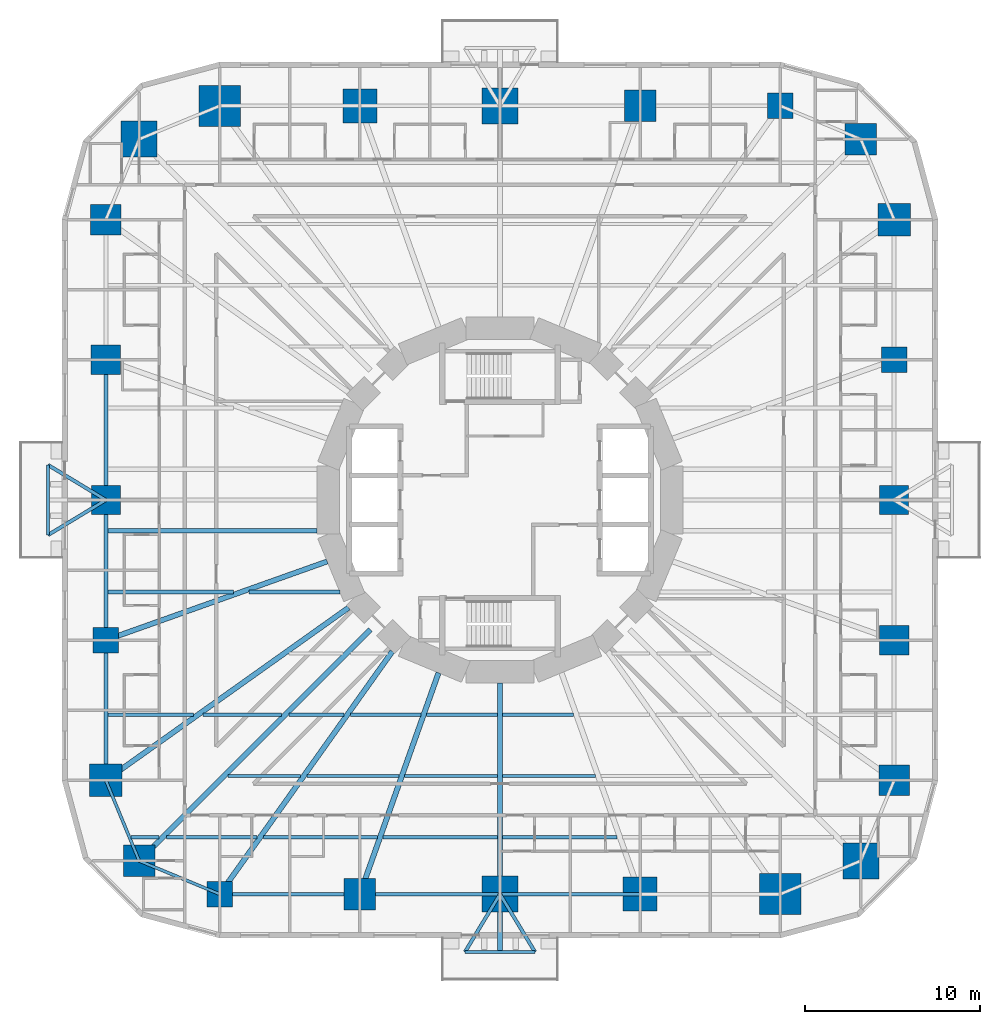
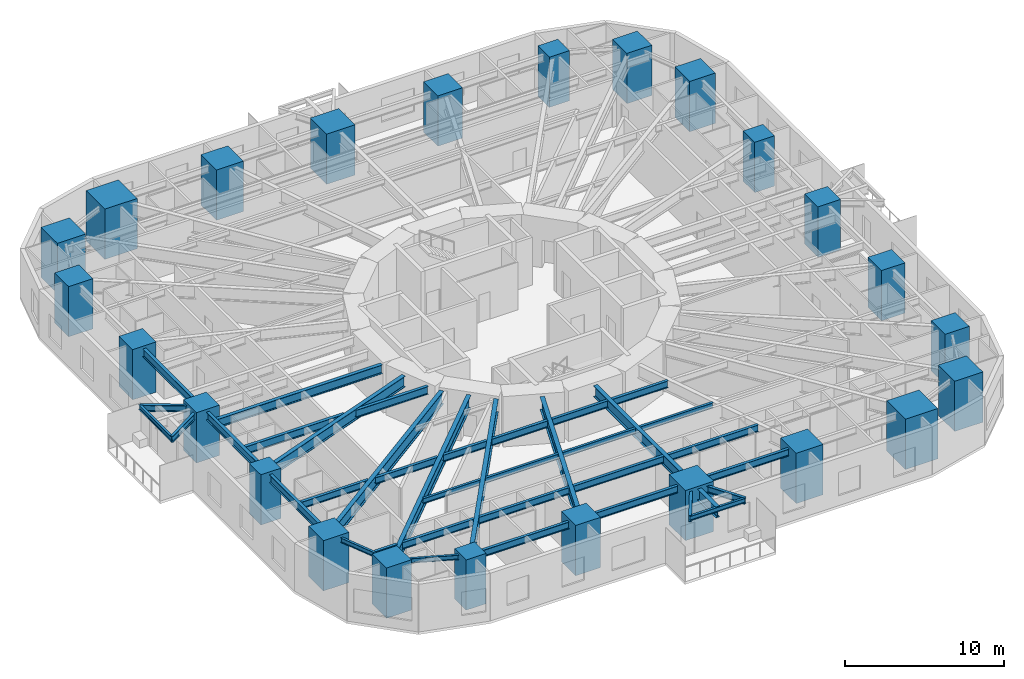
# One storey, part 1 of 14: 38 beams, 24 columns.
"""IFC4 building model written with IfcOpenShell, lengths in metres."""

from ifc_helpers import new_model, si_unit, direction, frame, origin, origin_2d, place, context, subcontext, project, spatial, rectangle, i_section, extrude, material, material_profile, profile_set, type_object, element, save


model = new_model("IFC4")

# Units and contexts
model_context = context("Model", 3, precision=1e-05, world=origin(), true_north=direction((0.0, 1.0)))
body_context = subcontext(model_context, "Body", "Model", "MODEL_VIEW")
ifc_project = project(units=[si_unit("LENGTHUNIT", "METRE"), si_unit("AREAUNIT", "SQUARE_METRE"), si_unit("VOLUMEUNIT", "CUBIC_METRE"), si_unit("PLANEANGLEUNIT", "RADIAN"), si_unit("MASSUNIT", "GRAM", prefix="KILO")], contexts=[model_context])

# Site, building, storey
site_placement = place(None, origin())
site = spatial("IfcSite", under=ifc_project, at=site_placement, CompositionType="ELEMENT")
building_placement = place(site_placement, origin())
building = spatial("IfcBuilding", under=site, at=building_placement, Name="Nakasero Lantern House", CompositionType="ELEMENT")
storey_placement = place(building_placement, frame((0.0, 0.0, 35.25)))
storey = spatial("IfcBuildingStorey", under=building, at=storey_placement, Name="L08", CompositionType="ELEMENT", Elevation=35.25)

# Columns
ifc_material_1 = material(Name="Concrete C50/60", Category="concrete")
ifc_material_profile_1 = material_profile(ifc_material_1, rectangle(XDim=1.800048828125, YDim=1.800048828125, at=origin_2d()), Name="RC 1800x1800")
ifc_profile_set_1 = profile_set([ifc_material_profile_1], Name="Concrete C50/60")
column_type_1 = type_object("IfcColumnType", Name="Mega column RC 1800x1800 C50/60", PredefinedType="COLUMN", material=ifc_profile_set_1)
for number, where, z_axis, x_axis, name in (
    (1, (20.59619140625, 20.59619140625, 0.0), (0.0, 0.0, 1.0), (1.0, 0.0, 0.0), "Column B1-C06 L08"),
    (2, (-20.59619140625, -20.59619140625, 0.0), (0.0, 0.0, 1.0), (1.0, 0.0, 0.0), "Column B1-C18 L08"),
):
    element("IfcColumn", number, at=place(storey_placement, frame(where, z_axis=z_axis, x_axis=x_axis)), inside=storey, type_object=column_type_1, Name=name, PredefinedType="COLUMN", context=body_context, shape_type="SweptSolid", body=[
        extrude(rectangle(XDim=1.800048828125, YDim=1.800048828125, at=origin_2d()), origin(), (0.0, 0.0, 1.0), 3.85009765625),
    ])
ifc_material_2 = material(Name="Concrete C50/60", Category="concrete")
ifc_material_profile_2 = material_profile(ifc_material_2, rectangle(XDim=2.050048828125, YDim=2.050048828125, at=origin_2d()), Name="RC 2050x2050")
ifc_profile_set_2 = profile_set([ifc_material_profile_2], Name="Concrete C50/60")
column_type_2 = type_object("IfcColumnType", Name="Mega column RC 2050x2050 C50/60", PredefinedType="COLUMN", material=ifc_profile_set_2)
for number, where, z_axis, x_axis, name in (
    (3, (-20.59619140625, 20.59619140625, 0.0), (0.0, 0.0, 1.0), (1.0, 0.0, 0.0), "Column B1-C12 L08"),
    (4, (20.59619140625, -20.59619140625, 0.0), (0.0, 0.0, 1.0), (1.0, 0.0, 0.0), "Column B1-C24 L08"),
):
    element("IfcColumn", number, at=place(storey_placement, frame(where, z_axis=z_axis, x_axis=x_axis)), inside=storey, type_object=column_type_2, Name=name, PredefinedType="COLUMN", context=body_context, shape_type="SweptSolid", body=[
        extrude(rectangle(XDim=2.050048828125, YDim=2.050048828125, at=origin_2d()), origin(), (0.0, 0.0, 1.0), 3.85009765625),
    ])
ifc_material_3 = material(Name="Concrete C50/60", Category="concrete")
ifc_material_profile_3 = material_profile(ifc_material_3, rectangle(XDim=1.449951171875, YDim=1.449951171875, at=origin_2d()), Name="RC 1450x1450")
ifc_profile_set_3 = profile_set([ifc_material_profile_3], Name="Concrete C50/60")
column_type_3 = type_object("IfcColumnType", Name="Ring column RC 1450x1450 C50/60", PredefinedType="COLUMN", material=ifc_profile_set_3)
for number, where, z_axis, x_axis, name in (
    (5, (22.5, 8.0, 0.0), (0.0, 0.0, 1.0), (1.0, 0.0, 0.0), "Column B1-C04 L08"),
    (6, (16.0, 22.5, 0.0), (0.0, 0.0, 1.0), (1.0, 0.0, 0.0), "Column B1-C07 L08"),
    (7, (-22.5, -8.0, 0.0), (0.0, 0.0, 1.0), (1.0, 0.0, 0.0), "Column B1-C16 L08"),
    (8, (-16.0, -22.5, 0.0), (0.0, 0.0, 1.0), (1.0, 0.0, 0.0), "Column B1-C19 L08"),
):
    element("IfcColumn", number, at=place(storey_placement, frame(where, z_axis=z_axis, x_axis=x_axis)), inside=storey, type_object=column_type_3, Name=name, PredefinedType="COLUMN", context=body_context, shape_type="SweptSolid", body=[
        extrude(rectangle(XDim=1.449951171875, YDim=1.449951171875, at=origin_2d()), origin(), (0.0, 0.0, 1.0), 3.85009765625),
    ])
ifc_material_4 = material(Name="Concrete C50/60", Category="concrete")
ifc_material_profile_4 = material_profile(ifc_material_4, rectangle(XDim=1.64990234375, YDim=1.64990234375, at=origin_2d()), Name="RC 1650x1650")
ifc_profile_set_4 = profile_set([ifc_material_profile_4], Name="Concrete C50/60")
column_type_4 = type_object("IfcColumnType", Name="Ring column RC 1650x1650 C50/60", PredefinedType="COLUMN", material=ifc_profile_set_4)
for number, where, z_axis, x_axis, name in (
    (9, (22.5, 0.0, 0.0), (0.0, 0.0, 1.0), (1.0, 0.0, 0.0), "Column B1-C03 L08"),
    (10, (-22.5, 0.0, 0.0), (0.0, 0.0, 1.0), (1.0, 0.0, 0.0), "Column B1-C15 L08"),
):
    element("IfcColumn", number, at=place(storey_placement, frame(where, z_axis=z_axis, x_axis=x_axis)), inside=storey, type_object=column_type_4, Name=name, PredefinedType="COLUMN", context=body_context, shape_type="SweptSolid", body=[
        extrude(rectangle(XDim=1.64990234375, YDim=1.64990234375, at=origin_2d()), origin(), (0.0, 0.0, 1.0), 3.85009765625),
    ])
ifc_material_5 = material(Name="Concrete C50/60", Category="concrete")
ifc_material_profile_5 = material_profile(ifc_material_5, rectangle(XDim=1.699951171875, YDim=1.699951171875, at=origin_2d()), Name="RC 1700x1700")
ifc_profile_set_5 = profile_set([ifc_material_profile_5], Name="Concrete C50/60")
column_type_5 = type_object("IfcColumnType", Name="Ring column RC 1700x1700 C50/60", PredefinedType="COLUMN", material=ifc_profile_set_5)
for number, where, z_axis, x_axis, name in (
    (11, (22.5, -8.0, 0.0), (0.0, 0.0, 1.0), (1.0, 0.0, 0.0), "Column B1-C02 L08"),
    (12, (-22.5, 8.0, 0.0), (0.0, 0.0, 1.0), (1.0, 0.0, 0.0), "Column B1-C14 L08"),
):
    element("IfcColumn", number, at=place(storey_placement, frame(where, z_axis=z_axis, x_axis=x_axis)), inside=storey, type_object=column_type_5, Name=name, PredefinedType="COLUMN", context=body_context, shape_type="SweptSolid", body=[
        extrude(rectangle(XDim=1.699951171875, YDim=1.699951171875, at=origin_2d()), origin(), (0.0, 0.0, 1.0), 3.85009765625),
    ])
ifc_material_6 = material(Name="Concrete C50/60", Category="concrete")
ifc_material_profile_6 = material_profile(ifc_material_6, rectangle(XDim=1.75, YDim=1.75, at=origin_2d()), Name="RC 1750x1750")
ifc_profile_set_6 = profile_set([ifc_material_profile_6], Name="Concrete C50/60")
column_type_6 = type_object("IfcColumnType", Name="Ring column RC 1750x1750 C50/60", PredefinedType="COLUMN", material=ifc_profile_set_6)
for number, where, z_axis, x_axis, name in (
    (13, (22.5, -16.0, 0.0), (0.0, 0.0, 1.0), (1.0, 0.0, 0.0), "Column B1-C01 L08"),
    (14, (-22.5, 16.0, 0.0), (0.0, 0.0, 1.0), (1.0, 0.0, 0.0), "Column B1-C13 L08"),
):
    element("IfcColumn", number, at=place(storey_placement, frame(where, z_axis=z_axis, x_axis=x_axis)), inside=storey, type_object=column_type_6, Name=name, PredefinedType="COLUMN", context=body_context, shape_type="SweptSolid", body=[
        extrude(rectangle(XDim=1.75, YDim=1.75, at=origin_2d()), origin(), (0.0, 0.0, 1.0), 3.85009765625),
    ])
ifc_material_7 = material(Name="Concrete C50/60", Category="concrete")
ifc_material_profile_7 = material_profile(ifc_material_7, rectangle(XDim=1.800048828125, YDim=1.800048828125, at=origin_2d()), Name="RC 1800x1800")
ifc_profile_set_7 = profile_set([ifc_material_profile_7], Name="Concrete C50/60")
column_type_7 = type_object("IfcColumnType", Name="Ring column RC 1800x1800 C50/60", PredefinedType="COLUMN", material=ifc_profile_set_7)
for number, where, z_axis, x_axis, name in (
    (15, (8.0, 22.5, 0.0), (0.0, 0.0, 1.0), (1.0, 0.0, 0.0), "Column B1-C08 L08"),
    (16, (-8.0, -22.5, 0.0), (0.0, 0.0, 1.0), (1.0, 0.0, 0.0), "Column B1-C20 L08"),
):
    element("IfcColumn", number, at=place(storey_placement, frame(where, z_axis=z_axis, x_axis=x_axis)), inside=storey, type_object=column_type_7, Name=name, PredefinedType="COLUMN", context=body_context, shape_type="SweptSolid", body=[
        extrude(rectangle(XDim=1.800048828125, YDim=1.800048828125, at=origin_2d()), origin(), (0.0, 0.0, 1.0), 3.85009765625),
    ])
ifc_material_8 = material(Name="Concrete C50/60", Category="concrete")
ifc_material_profile_8 = material_profile(ifc_material_8, rectangle(XDim=1.85009765625, YDim=1.85009765625, at=origin_2d()), Name="RC 1850x1850")
ifc_profile_set_8 = profile_set([ifc_material_profile_8], Name="Concrete C50/60")
column_type_8 = type_object("IfcColumnType", Name="Ring column RC 1850x1850 C50/60", PredefinedType="COLUMN", material=ifc_profile_set_8)
for number, where, z_axis, x_axis, name in (
    (17, (22.5, 16.0, 0.0), (0.0, 0.0, 1.0), (1.0, 0.0, 0.0), "Column B1-C05 L08"),
    (18, (-22.5, -16.0, 0.0), (0.0, 0.0, 1.0), (1.0, 0.0, 0.0), "Column B1-C17 L08"),
):
    element("IfcColumn", number, at=place(storey_placement, frame(where, z_axis=z_axis, x_axis=x_axis)), inside=storey, type_object=column_type_8, Name=name, PredefinedType="COLUMN", context=body_context, shape_type="SweptSolid", body=[
        extrude(rectangle(XDim=1.85009765625, YDim=1.85009765625, at=origin_2d()), origin(), (0.0, 0.0, 1.0), 3.85009765625),
    ])
ifc_material_9 = material(Name="Concrete C50/60", Category="concrete")
ifc_material_profile_9 = material_profile(ifc_material_9, rectangle(XDim=1.949951171875, YDim=1.949951171875, at=origin_2d()), Name="RC 1950x1950")
ifc_profile_set_9 = profile_set([ifc_material_profile_9], Name="Concrete C50/60")
column_type_9 = type_object("IfcColumnType", Name="Ring column RC 1950x1950 C50/60", PredefinedType="COLUMN", material=ifc_profile_set_9)
for number, where, z_axis, x_axis, name in (
    (19, (-8.0, 22.5, 0.0), (0.0, 0.0, 1.0), (1.0, 0.0, 0.0), "Column B1-C10 L08"),
    (20, (8.0, -22.5, 0.0), (0.0, 0.0, 1.0), (1.0, 0.0, 0.0), "Column B1-C22 L08"),
):
    element("IfcColumn", number, at=place(storey_placement, frame(where, z_axis=z_axis, x_axis=x_axis)), inside=storey, type_object=column_type_9, Name=name, PredefinedType="COLUMN", context=body_context, shape_type="SweptSolid", body=[
        extrude(rectangle(XDim=1.949951171875, YDim=1.949951171875, at=origin_2d()), origin(), (0.0, 0.0, 1.0), 3.85009765625),
    ])
ifc_material_10 = material(Name="Concrete C50/60", Category="concrete")
ifc_material_profile_10 = material_profile(ifc_material_10, rectangle(XDim=2.050048828125, YDim=2.050048828125, at=origin_2d()), Name="RC 2050x2050")
ifc_profile_set_10 = profile_set([ifc_material_profile_10], Name="Concrete C50/60")
column_type_10 = type_object("IfcColumnType", Name="Ring column RC 2050x2050 C50/60", PredefinedType="COLUMN", material=ifc_profile_set_10)
for number, where, z_axis, x_axis, name in (
    (21, (0.0, 22.5, 0.0), (0.0, 0.0, 1.0), (1.0, 0.0, 0.0), "Column B1-C09 L08"),
    (22, (0.0, -22.5, 0.0), (0.0, 0.0, 1.0), (1.0, 0.0, 0.0), "Column B1-C21 L08"),
):
    element("IfcColumn", number, at=place(storey_placement, frame(where, z_axis=z_axis, x_axis=x_axis)), inside=storey, type_object=column_type_10, Name=name, PredefinedType="COLUMN", context=body_context, shape_type="SweptSolid", body=[
        extrude(rectangle(XDim=2.050048828125, YDim=2.050048828125, at=origin_2d()), origin(), (0.0, 0.0, 1.0), 3.85009765625),
    ])
ifc_material_11 = material(Name="Concrete C50/60", Category="concrete")
ifc_material_profile_11 = material_profile(ifc_material_11, rectangle(XDim=2.35009765625, YDim=2.35009765625, at=origin_2d()), Name="RC 2350x2350")
ifc_profile_set_11 = profile_set([ifc_material_profile_11], Name="Concrete C50/60")
column_type_11 = type_object("IfcColumnType", Name="Ring column RC 2350x2350 C50/60", PredefinedType="COLUMN", material=ifc_profile_set_11)
for number, where, z_axis, x_axis, name in (
    (23, (-16.0, 22.5, 0.0), (0.0, 0.0, 1.0), (1.0, 0.0, 0.0), "Column B1-C11 L08"),
    (24, (16.0, -22.5, 0.0), (0.0, 0.0, 1.0), (1.0, 0.0, 0.0), "Column B1-C23 L08"),
):
    element("IfcColumn", number, at=place(storey_placement, frame(where, z_axis=z_axis, x_axis=x_axis)), inside=storey, type_object=column_type_11, Name=name, PredefinedType="COLUMN", context=body_context, shape_type="SweptSolid", body=[
        extrude(rectangle(XDim=2.35009765625, YDim=2.35009765625, at=origin_2d()), origin(), (0.0, 0.0, 1.0), 3.85009765625),
    ])

# Beams
ifc_material_12 = material(Name="Steel S355", Category="steel")
ifc_material_profile_12 = material_profile(ifc_material_12, i_section(OverallWidth=0.199462890625, OverallDepth=0.491943359375, WebThickness=0.01806640625, FlangeThickness=0.031982421875, FilletRadius=0.01025390625, at=origin_2d()), Name="UB 457x191x161")
ifc_profile_set_12 = profile_set([ifc_material_profile_12], Name="Steel S355")
beam_type_1 = type_object("IfcBeamType", Name="Balcony splay beam UB 457x191x161", PredefinedType="BEAM", material=ifc_profile_set_12)
for number, where, z_axis, x_axis, name in (
    (25, (-22.5, 0.0, 3.404052734375), (-0.855201230787, -0.518296107317, 0.0), (0.518296107317, -0.855201230787, 0.0), "Balcony splay beam L09 B1-C15A"),
    (26, (-22.5, 0.0, 3.404052734375), (-0.855201230787, 0.518296107317, 0.0), (-0.518296107317, -0.855201230787, 0.0), "Balcony splay beam L09 B1-C15B"),
    (27, (0.0, -22.5, 3.404052734375), (0.518296107317, -0.855201230787, 0.0), (0.855201230787, 0.518296107317, 0.0), "Balcony splay beam L09 B1-C21A"),
    (28, (0.0, -22.5, 3.404052734375), (-0.518296107317, -0.855201230787, 0.0), (0.855201230787, -0.518296107317, 0.0), "Balcony splay beam L09 B1-C21B"),
):
    element("IfcBeam", number, at=place(storey_placement, frame(where, z_axis=z_axis, x_axis=x_axis)), inside=storey, type_object=beam_type_1, Name=name, PredefinedType="BEAM", context=body_context, shape_type="SweptSolid", body=[
        extrude(i_section(OverallWidth=0.199462890625, OverallDepth=0.491943359375, WebThickness=0.01806640625, FlangeThickness=0.031982421875, FilletRadius=0.01025390625, at=origin_2d()), origin(), (0.0, 0.0, 1.0), 3.85888671875),
    ])
ifc_material_13 = material(Name="Steel S355", Category="steel")
ifc_material_profile_13 = material_profile(ifc_material_13, i_section(OverallWidth=0.17138671875, OverallDepth=0.35498046875, WebThickness=0.00732421875, FlangeThickness=0.011474609375, FilletRadius=0.01025390625, at=origin_2d()), Name="UB 356x171x51")
ifc_profile_set_13 = profile_set([ifc_material_profile_13], Name="Steel S355")
beam_type_2 = type_object("IfcBeamType", Name="Balcony tie beam UB 356x171x51", PredefinedType="BEAM", material=ifc_profile_set_13)
for number, where, z_axis, x_axis, name in (
    (29, (-25.800048828125, -2.0, 3.472412109375), (0.0, 1.0, 0.0), (-1.0, 0.0, 0.0), "Balcony tie beam L09 B1-C15"),
    (30, (2.0, -25.800048828125, 3.472412109375), (-1.0, 0.0, 0.0), (0.0, -1.0, 0.0), "Balcony tie beam L09 B1-C21"),
):
    element("IfcBeam", number, at=place(storey_placement, frame(where, z_axis=z_axis, x_axis=x_axis)), inside=storey, type_object=beam_type_2, Name=name, PredefinedType="BEAM", context=body_context, shape_type="SweptSolid", body=[
        extrude(i_section(OverallWidth=0.17138671875, OverallDepth=0.35498046875, WebThickness=0.00732421875, FlangeThickness=0.011474609375, FilletRadius=0.01025390625, at=origin_2d()), origin(), (0.0, 0.0, 1.0), 4.0),
    ])
ifc_material_14 = material(Name="Steel S355", Category="steel")
ifc_material_profile_14 = material_profile(ifc_material_14, i_section(OverallWidth=0.177978515625, OverallDepth=0.406494140625, WebThickness=0.0078125, FlangeThickness=0.0126953125, FilletRadius=0.01025390625, at=origin_2d()), Name="UB 406x178x60")
ifc_profile_set_14 = profile_set([ifc_material_profile_14], Name="Steel S355")
beam_type_3 = type_object("IfcBeamType", Name="Infill beam UB 406x178x60", PredefinedType="JOIST", material=ifc_profile_set_14)
beam_1_placement = place(storey_placement, frame((-15.537841796875, -15.75, 3.44677734375), z_axis=(1.0, 0.0, 0.0), x_axis=(0.0, 1.0, 0.0)))
element("IfcBeam", 31, at=beam_1_placement, inside=storey, type_object=beam_type_3, Name="Infill beam L09 03.1", PredefinedType="JOIST", context=body_context, shape_type="SweptSolid", body=[
    extrude(i_section(OverallWidth=0.177978515625, OverallDepth=0.406494140625, WebThickness=0.0078125, FlangeThickness=0.0126953125, FilletRadius=0.01025390625, at=origin_2d()), origin(), (0.0, 0.0, 1.0), 4.15380859375),
])
beam_2_placement = place(storey_placement, frame((-11.015869140625, -15.75, 3.44677734375), z_axis=(1.0, 0.0, 0.0), x_axis=(0.0, 1.0, 0.0)))
element("IfcBeam", 32, at=beam_2_placement, inside=storey, type_object=beam_type_3, Name="Infill beam L09 03.2", PredefinedType="JOIST", context=body_context, shape_type="SweptSolid", body=[
    extrude(i_section(OverallWidth=0.177978515625, OverallDepth=0.406494140625, WebThickness=0.0078125, FlangeThickness=0.0126953125, FilletRadius=0.01025390625, at=origin_2d()), origin(), (0.0, 0.0, 1.0), 5.256591796875),
])
for number, where, z_axis, x_axis, name in (
    (33, (-5.44091796875, -15.75, 3.44677734375), (1.0, 0.0, 0.0), (0.0, 1.0, 0.0), "Infill beam L09 03.3"),
    (34, (0.146240234375, -15.75, 3.44677734375), (1.0, 0.0, 0.0), (0.0, 1.0, 0.0), "Infill beam L09 03.4"),
):
    element("IfcBeam", number, at=place(storey_placement, frame(where, z_axis=z_axis, x_axis=x_axis)), inside=storey, type_object=beam_type_3, Name=name, PredefinedType="JOIST", context=body_context, shape_type="SweptSolid", body=[
        extrude(i_section(OverallWidth=0.177978515625, OverallDepth=0.406494140625, WebThickness=0.0078125, FlangeThickness=0.0126953125, FilletRadius=0.01025390625, at=origin_2d()), origin(), (0.0, 0.0, 1.0), 5.294677734375),
    ])
ifc_material_15 = material(Name="Steel S355", Category="steel")
ifc_material_profile_15 = material_profile(ifc_material_15, i_section(OverallWidth=0.208740234375, OverallDepth=0.5283203125, WebThickness=0.009521484375, FlangeThickness=0.01318359375, FilletRadius=0.0126953125, at=origin_2d()), Name="UB 533x210x82")
ifc_profile_set_15 = profile_set([ifc_material_profile_15], Name="Steel S355")
beam_type_4 = type_object("IfcBeamType", Name="Infill beam UB 533x210x82", PredefinedType="JOIST", material=ifc_profile_set_15)
beam_3_placement = place(storey_placement, frame((-21.06103515625, -19.25, 3.3857421875), z_axis=(1.0, 0.0, 0.0), x_axis=(0.0, 1.0, 0.0)))
element("IfcBeam", 35, at=beam_3_placement, inside=storey, type_object=beam_type_4, Name="Infill beam L09 02.1", PredefinedType="JOIST", context=body_context, shape_type="SweptSolid", body=[
    extrude(i_section(OverallWidth=0.208740234375, OverallDepth=0.5283203125, WebThickness=0.009521484375, FlangeThickness=0.01318359375, FilletRadius=0.0126953125, at=origin_2d()), origin(), (0.0, 0.0, 1.0), 1.598876953125),
])
beam_4_placement = place(storey_placement, frame((-19.037841796875, -19.25, 3.3857421875), z_axis=(1.0, 0.0, 0.0), x_axis=(0.0, 1.0, 0.0)))
element("IfcBeam", 36, at=beam_4_placement, inside=storey, type_object=beam_type_4, Name="Infill beam L09 02.2", PredefinedType="JOIST", context=body_context, shape_type="SweptSolid", body=[
    extrude(i_section(OverallWidth=0.208740234375, OverallDepth=0.5283203125, WebThickness=0.009521484375, FlangeThickness=0.01318359375, FilletRadius=0.0126953125, at=origin_2d()), origin(), (0.0, 0.0, 1.0), 5.164794921875),
])
beam_5_placement = place(storey_placement, frame((-13.5048828125, -19.25, 3.3857421875), z_axis=(1.0, 0.0, 0.0), x_axis=(0.0, 1.0, 0.0)))
element("IfcBeam", 37, at=beam_5_placement, inside=storey, type_object=beam_type_4, Name="Infill beam L09 02.3", PredefinedType="JOIST", context=body_context, shape_type="SweptSolid", body=[
    extrude(i_section(OverallWidth=0.208740234375, OverallDepth=0.5283203125, WebThickness=0.009521484375, FlangeThickness=0.01318359375, FilletRadius=0.0126953125, at=origin_2d()), origin(), (0.0, 0.0, 1.0), 6.501220703125),
])
for number, where, z_axis, x_axis, name in (
    (38, (-6.685302734375, -19.25, 3.3857421875), (1.0, 0.0, 0.0), (0.0, 1.0, 0.0), "Infill beam L09 02.4"),
    (39, (0.146240234375, -19.25, 3.3857421875), (1.0, 0.0, 0.0), (0.0, 1.0, 0.0), "Infill beam L09 02.5"),
):
    element("IfcBeam", number, at=place(storey_placement, frame(where, z_axis=z_axis, x_axis=x_axis)), inside=storey, type_object=beam_type_4, Name=name, PredefinedType="JOIST", context=body_context, shape_type="SweptSolid", body=[
        extrude(i_section(OverallWidth=0.208740234375, OverallDepth=0.5283203125, WebThickness=0.009521484375, FlangeThickness=0.01318359375, FilletRadius=0.0126953125, at=origin_2d()), origin(), (0.0, 0.0, 1.0), 6.5390625),
    ])
beam_6_placement = place(storey_placement, frame((-22.385498046875, -12.25, 3.3857421875), z_axis=(1.0, 0.0, 0.0), x_axis=(0.0, 1.0, 0.0)))
element("IfcBeam", 40, at=beam_6_placement, inside=storey, type_object=beam_type_4, Name="Infill beam L09 04.1", PredefinedType="JOIST", context=body_context, shape_type="SweptSolid", body=[
    extrude(i_section(OverallWidth=0.208740234375, OverallDepth=0.5283203125, WebThickness=0.009521484375, FlangeThickness=0.01318359375, FilletRadius=0.0126953125, at=origin_2d()), origin(), (0.0, 0.0, 1.0), 4.900146484375),
])
beam_7_placement = place(storey_placement, frame((-16.9677734375, -12.25, 3.3857421875), z_axis=(1.0, 0.0, 0.0), x_axis=(0.0, 1.0, 0.0)))
element("IfcBeam", 41, at=beam_7_placement, inside=storey, type_object=beam_type_4, Name="Infill beam L09 04.2", PredefinedType="JOIST", context=body_context, shape_type="SweptSolid", body=[
    extrude(i_section(OverallWidth=0.208740234375, OverallDepth=0.5283203125, WebThickness=0.009521484375, FlangeThickness=0.01318359375, FilletRadius=0.0126953125, at=origin_2d()), origin(), (0.0, 0.0, 1.0), 4.505615234375),
])
beam_8_placement = place(storey_placement, frame((-12.037841796875, -12.25, 3.3857421875), z_axis=(1.0, 0.0, 0.0), x_axis=(0.0, 1.0, 0.0)))
element("IfcBeam", 42, at=beam_8_placement, inside=storey, type_object=beam_type_4, Name="Infill beam L09 04.3", PredefinedType="JOIST", context=body_context, shape_type="SweptSolid", body=[
    extrude(i_section(OverallWidth=0.208740234375, OverallDepth=0.5283203125, WebThickness=0.009521484375, FlangeThickness=0.01318359375, FilletRadius=0.0126953125, at=origin_2d()), origin(), (0.0, 0.0, 1.0), 3.142578125),
])
beam_9_placement = place(storey_placement, frame((-8.527099609375, -12.25, 3.3857421875), z_axis=(1.0, 0.0, 0.0), x_axis=(0.0, 1.0, 0.0)))
element("IfcBeam", 43, at=beam_9_placement, inside=storey, type_object=beam_type_4, Name="Infill beam L09 04.4", PredefinedType="JOIST", context=body_context, shape_type="SweptSolid", body=[
    extrude(i_section(OverallWidth=0.208740234375, OverallDepth=0.5283203125, WebThickness=0.009521484375, FlangeThickness=0.01318359375, FilletRadius=0.0126953125, at=origin_2d()), origin(), (0.0, 0.0, 1.0), 4.012451171875),
])
for number, where, z_axis, x_axis, name in (
    (44, (-4.1962890625, -12.25, 3.3857421875), (1.0, 0.0, 0.0), (0.0, 1.0, 0.0), "Infill beam L09 04.5"),
    (45, (0.146240234375, -12.25, 3.3857421875), (1.0, 0.0, 0.0), (0.0, 1.0, 0.0), "Infill beam L09 04.6"),
):
    element("IfcBeam", number, at=place(storey_placement, frame(where, z_axis=z_axis, x_axis=x_axis)), inside=storey, type_object=beam_type_4, Name=name, PredefinedType="JOIST", context=body_context, shape_type="SweptSolid", body=[
        extrude(i_section(OverallWidth=0.208740234375, OverallDepth=0.5283203125, WebThickness=0.009521484375, FlangeThickness=0.01318359375, FilletRadius=0.0126953125, at=origin_2d()), origin(), (0.0, 0.0, 1.0), 4.050048828125),
    ])
ifc_material_16 = material(Name="Steel S355", Category="steel")
ifc_material_profile_16 = material_profile(ifc_material_16, i_section(OverallWidth=0.2275390625, OverallDepth=0.6025390625, WebThickness=0.010498046875, FlangeThickness=0.014892578125, FilletRadius=0.0126953125, at=origin_2d()), Name="UB 610x229x101")
ifc_profile_set_16 = profile_set([ifc_material_profile_16], Name="Steel S355")
beam_type_5 = type_object("IfcBeamType", Name="Infill beam UB 610x229x101", PredefinedType="JOIST", material=ifc_profile_set_16)
beam_10_placement = place(storey_placement, frame((-22.385498046875, -5.25, 3.3486328125), z_axis=(1.0, 0.0, 0.0), x_axis=(0.0, 1.0, 0.0)))
element("IfcBeam", 46, at=beam_10_placement, inside=storey, type_object=beam_type_5, Name="Infill beam L09 06.1", PredefinedType="JOIST", context=body_context, shape_type="SweptSolid", body=[
    extrude(i_section(OverallWidth=0.2275390625, OverallDepth=0.6025390625, WebThickness=0.010498046875, FlangeThickness=0.014892578125, FilletRadius=0.0126953125, at=origin_2d()), origin(), (0.0, 0.0, 1.0), 7.183349609375),
])
beam_11_placement = place(storey_placement, frame((-14.3291015625, -5.25, 3.3486328125), z_axis=(1.0, 0.0, 0.0), x_axis=(0.0, 1.0, 0.0)))
element("IfcBeam", 47, at=beam_11_placement, inside=storey, type_object=beam_type_5, Name="Infill beam L09 06.2", PredefinedType="JOIST", context=body_context, shape_type="SweptSolid", body=[
    extrude(i_section(OverallWidth=0.2275390625, OverallDepth=0.6025390625, WebThickness=0.010498046875, FlangeThickness=0.014892578125, FilletRadius=0.0126953125, at=origin_2d()), origin(), (0.0, 0.0, 1.0), 5.184326171875),
])
ifc_material_17 = material(Name="Steel S355", Category="steel")
ifc_material_profile_17 = material_profile(ifc_material_17, i_section(OverallWidth=0.253662109375, OverallDepth=0.68359375, WebThickness=0.012451171875, FlangeThickness=0.01904296875, FilletRadius=0.01513671875, at=origin_2d()), Name="UB 686x254x140")
ifc_profile_set_17 = profile_set([ifc_material_profile_17], Name="Steel S355")
beam_type_6 = type_object("IfcBeamType", Name="Infill beam UB 686x254x140", PredefinedType="JOIST", material=ifc_profile_set_17)
beam_12_placement = place(storey_placement, frame((-22.385498046875, -1.75, 3.308349609375), z_axis=(1.0, 0.0, 0.0), x_axis=(0.0, 1.0, 0.0)))
element("IfcBeam", 48, at=beam_12_placement, inside=storey, type_object=beam_type_6, Name="Infill beam L09 07.1", PredefinedType="JOIST", context=body_context, shape_type="SweptSolid", body=[
    extrude(i_section(OverallWidth=0.253662109375, OverallDepth=0.68359375, WebThickness=0.012451171875, FlangeThickness=0.01904296875, FilletRadius=0.01513671875, at=origin_2d()), origin(), (0.0, 0.0, 1.0), 11.927734375),
])
ifc_material_18 = material(Name="Steel S355", Category="steel")
ifc_material_profile_18 = material_profile(ifc_material_18, i_section(OverallWidth=0.300048828125, OverallDepth=0.97021484375, WebThickness=0.01611328125, FlangeThickness=0.02099609375, FilletRadius=0.030029296875, at=origin_2d()), Name="UB 1016x305x222")
ifc_profile_set_18 = profile_set([ifc_material_profile_18], Name="Steel S355")
beam_type_7 = type_object("IfcBeamType", Name="Primary beam UB 1016x305x222, span 12 to 15 m", PredefinedType="BEAM", material=ifc_profile_set_18)
beam_13_placement = place(storey_placement, frame((-8.0, -22.5, 3.164794921875), z_axis=(0.335010745293, 0.942214307118, 0.0), x_axis=(-0.942214307118, 0.335010745293, 0.0)))
element("IfcBeam", 49, at=beam_13_placement, inside=storey, type_object=beam_type_7, Name="Primary beam L09 B1-C20", PredefinedType="BEAM", context=body_context, shape_type="SweptSolid", body=[
    extrude(i_section(OverallWidth=0.300048828125, OverallDepth=0.97021484375, WebThickness=0.01611328125, FlangeThickness=0.02099609375, FilletRadius=0.030029296875, at=origin_2d()), origin(), (0.0, 0.0, 1.0), 13.408447265625),
])
ifc_material_19 = material(Name="Steel S355", Category="steel")
ifc_material_profile_19 = material_profile(ifc_material_19, i_section(OverallWidth=0.300048828125, OverallDepth=0.989990234375, WebThickness=0.0166015625, FlangeThickness=0.031005859375, FilletRadius=0.030029296875, at=origin_2d()), Name="UB 1016x305x272")
ifc_profile_set_19 = profile_set([ifc_material_profile_19], Name="Steel S355")
beam_type_8 = type_object("IfcBeamType", Name="Primary beam UB 1016x305x272, span over 15 m", PredefinedType="BEAM", material=ifc_profile_set_19)
beam_14_placement = place(storey_placement, frame((-22.5, -16.0, 3.155029296875), z_axis=(0.814952159915, 0.579528236629, 0.0), x_axis=(-0.579528236629, 0.814952159915, 0.0)))
element("IfcBeam", 50, at=beam_14_placement, inside=storey, type_object=beam_type_8, Name="Primary beam L09 B1-C17", PredefinedType="BEAM", context=body_context, shape_type="SweptSolid", body=[
    extrude(i_section(OverallWidth=0.300048828125, OverallDepth=0.989990234375, WebThickness=0.0166015625, FlangeThickness=0.031005859375, FilletRadius=0.030029296875, at=origin_2d()), origin(), (0.0, 0.0, 1.0), 17.003173828125),
])
beam_15_placement = place(storey_placement, frame((-20.59619140625, -20.59619140625, 3.155029296875), z_axis=(0.707106781187, 0.707106781187, 0.0), x_axis=(-0.707106781187, 0.707106781187, 0.0)))
element("IfcBeam", 51, at=beam_15_placement, inside=storey, type_object=beam_type_8, Name="Primary beam L09 B1-C18", PredefinedType="BEAM", context=body_context, shape_type="SweptSolid", body=[
    extrude(i_section(OverallWidth=0.300048828125, OverallDepth=0.989990234375, WebThickness=0.0166015625, FlangeThickness=0.031005859375, FilletRadius=0.030029296875, at=origin_2d()), origin(), (0.0, 0.0, 1.0), 18.669677734375),
])
ifc_material_20 = material(Name="Steel S355", Category="steel")
ifc_material_profile_20 = material_profile(ifc_material_20, i_section(OverallWidth=0.300048828125, OverallDepth=1.0, WebThickness=0.01904296875, FlangeThickness=0.035888671875, FilletRadius=0.030029296875, at=origin_2d()), Name="UB 1016x305x314")
ifc_profile_set_20 = profile_set([ifc_material_profile_20], Name="Steel S355")
beam_type_9 = type_object("IfcBeamType", Name="Primary beam UB 1016x305x314, span over 15 m", PredefinedType="BEAM", material=ifc_profile_set_20)
beam_16_placement = place(storey_placement, frame((-16.0, -22.5, 3.150146484375), z_axis=(0.579528236629, 0.814952159915, 0.0), x_axis=(-0.814952159915, 0.579528236629, 0.0)))
element("IfcBeam", 52, at=beam_16_placement, inside=storey, type_object=beam_type_9, Name="Primary beam L09 B1-C19", PredefinedType="BEAM", context=body_context, shape_type="SweptSolid", body=[
    extrude(i_section(OverallWidth=0.300048828125, OverallDepth=1.0, WebThickness=0.01904296875, FlangeThickness=0.035888671875, FilletRadius=0.030029296875, at=origin_2d()), origin(), (0.0, 0.0, 1.0), 17.003173828125),
])
ifc_material_21 = material(Name="Steel S355", Category="steel")
ifc_material_profile_21 = material_profile(ifc_material_21, i_section(OverallWidth=0.29248046875, OverallDepth=0.8408203125, WebThickness=0.0146484375, FlangeThickness=0.02685546875, FilletRadius=0.017822265625, at=origin_2d()), Name="UB 838x292x194")
ifc_profile_set_21 = profile_set([ifc_material_profile_21], Name="Steel S355")
beam_type_10 = type_object("IfcBeamType", Name="Primary beam UB 838x292x194, span 12 to 15 m", PredefinedType="BEAM", material=ifc_profile_set_21)
beam_17_placement = place(storey_placement, frame((-22.5, -8.0, 3.229736328125), z_axis=(0.942214307118, 0.335010745293, 0.0), x_axis=(-0.335010745293, 0.942214307118, 0.0)))
element("IfcBeam", 53, at=beam_17_placement, inside=storey, type_object=beam_type_10, Name="Primary beam L09 B1-C16", PredefinedType="BEAM", context=body_context, shape_type="SweptSolid", body=[
    extrude(i_section(OverallWidth=0.29248046875, OverallDepth=0.8408203125, WebThickness=0.0146484375, FlangeThickness=0.02685546875, FilletRadius=0.017822265625, at=origin_2d()), origin(), (0.0, 0.0, 1.0), 13.408447265625),
])
beam_18_placement = place(storey_placement, frame((0.0, -25.800048828125, 3.229736328125), z_axis=(0.0, 1.0, 0.0), x_axis=(-1.0, 0.0, 0.0)))
element("IfcBeam", 54, at=beam_18_placement, inside=storey, type_object=beam_type_10, Name="Primary beam L09 B1-C21", PredefinedType="BEAM", context=body_context, shape_type="SweptSolid", body=[
    extrude(i_section(OverallWidth=0.29248046875, OverallDepth=0.8408203125, WebThickness=0.0146484375, FlangeThickness=0.02685546875, FilletRadius=0.017822265625, at=origin_2d()), origin(), (0.0, 0.0, 1.0), 15.34228515625),
])
ifc_material_22 = material(Name="Steel S355", Category="steel")
ifc_material_profile_22 = material_profile(ifc_material_22, i_section(OverallWidth=0.17138671875, OverallDepth=0.35498046875, WebThickness=0.00732421875, FlangeThickness=0.011474609375, FilletRadius=0.01025390625, at=origin_2d()), Name="UB 356x171x51")
ifc_profile_set_22 = profile_set([ifc_material_profile_22], Name="Steel S355")
beam_type_11 = type_object("IfcBeamType", Name="Ring beam UB 356x171x51", PredefinedType="BEAM", material=ifc_profile_set_22)
for number, where, z_axis, x_axis, name in (
    (55, (-22.5, -16.0, 3.472412109375), (0.382684080569, -0.923879264016, 0.0), (0.923879264016, 0.382684080569, 0.0), "Ring beam L09 B1-C17"),
    (56, (-20.59619140625, -20.59619140625, 3.472412109375), (0.923879264016, -0.382684080569, 0.0), (0.382684080569, 0.923879264016, 0.0), "Ring beam L09 B1-C18"),
):
    element("IfcBeam", number, at=place(storey_placement, frame(where, z_axis=z_axis, x_axis=x_axis)), inside=storey, type_object=beam_type_11, Name=name, PredefinedType="BEAM", context=body_context, shape_type="SweptSolid", body=[
        extrude(i_section(OverallWidth=0.17138671875, OverallDepth=0.35498046875, WebThickness=0.00732421875, FlangeThickness=0.011474609375, FilletRadius=0.01025390625, at=origin_2d()), origin(), (0.0, 0.0, 1.0), 4.974853515625),
    ])
ifc_material_23 = material(Name="Steel S355", Category="steel")
ifc_material_profile_23 = material_profile(ifc_material_23, i_section(OverallWidth=0.2099609375, OverallDepth=0.53662109375, WebThickness=0.0107421875, FlangeThickness=0.017333984375, FilletRadius=0.0126953125, at=origin_2d()), Name="UB 533x210x101")
ifc_profile_set_23 = profile_set([ifc_material_profile_23], Name="Steel S355")
beam_type_12 = type_object("IfcBeamType", Name="Ring beam UB 533x210x101", PredefinedType="BEAM", material=ifc_profile_set_23)
for number, where, z_axis, x_axis, name in (
    (57, (-16.0, -22.5, 3.381591796875), (1.0, 0.0, 0.0), (0.0, 1.0, 0.0), "Ring beam L09 B1-C19"),
    (58, (-8.0, -22.5, 3.381591796875), (1.0, 0.0, 0.0), (0.0, 1.0, 0.0), "Ring beam L09 B1-C20"),
    (59, (0.0, -22.5, 3.381591796875), (1.0, 0.0, 0.0), (0.0, 1.0, 0.0), "Ring beam L09 B1-C21"),
):
    element("IfcBeam", number, at=place(storey_placement, frame(where, z_axis=z_axis, x_axis=x_axis)), inside=storey, type_object=beam_type_12, Name=name, PredefinedType="BEAM", context=body_context, shape_type="SweptSolid", body=[
        extrude(i_section(OverallWidth=0.2099609375, OverallDepth=0.53662109375, WebThickness=0.0107421875, FlangeThickness=0.017333984375, FilletRadius=0.0126953125, at=origin_2d()), origin(), (0.0, 0.0, 1.0), 8.0),
    ])
ifc_material_24 = material(Name="Steel S355", Category="steel")
ifc_material_profile_24 = material_profile(ifc_material_24, i_section(OverallWidth=0.22900390625, OverallDepth=0.6123046875, WebThickness=0.011962890625, FlangeThickness=0.01953125, FilletRadius=0.0126953125, at=origin_2d()), Name="UB 610x229x125")
ifc_profile_set_24 = profile_set([ifc_material_profile_24], Name="Steel S355")
beam_type_13 = type_object("IfcBeamType", Name="Ring beam UB 610x229x125", PredefinedType="BEAM", material=ifc_profile_set_24)
for number, where, z_axis, x_axis, name in (
    (60, (-22.5, 8.0, 3.343994140625), (0.0, -1.0, 0.0), (1.0, 0.0, 0.0), "Ring beam L09 B1-C14"),
    (61, (-22.5, 0.0, 3.343994140625), (0.0, -1.0, 0.0), (1.0, 0.0, 0.0), "Ring beam L09 B1-C15"),
    (62, (-22.5, -8.0, 3.343994140625), (0.0, -1.0, 0.0), (1.0, 0.0, 0.0), "Ring beam L09 B1-C16"),
):
    element("IfcBeam", number, at=place(storey_placement, frame(where, z_axis=z_axis, x_axis=x_axis)), inside=storey, type_object=beam_type_13, Name=name, PredefinedType="BEAM", context=body_context, shape_type="SweptSolid", body=[
        extrude(i_section(OverallWidth=0.22900390625, OverallDepth=0.6123046875, WebThickness=0.011962890625, FlangeThickness=0.01953125, FilletRadius=0.0126953125, at=origin_2d()), origin(), (0.0, 0.0, 1.0), 8.0),
    ])

save(model, "model.ifc")
